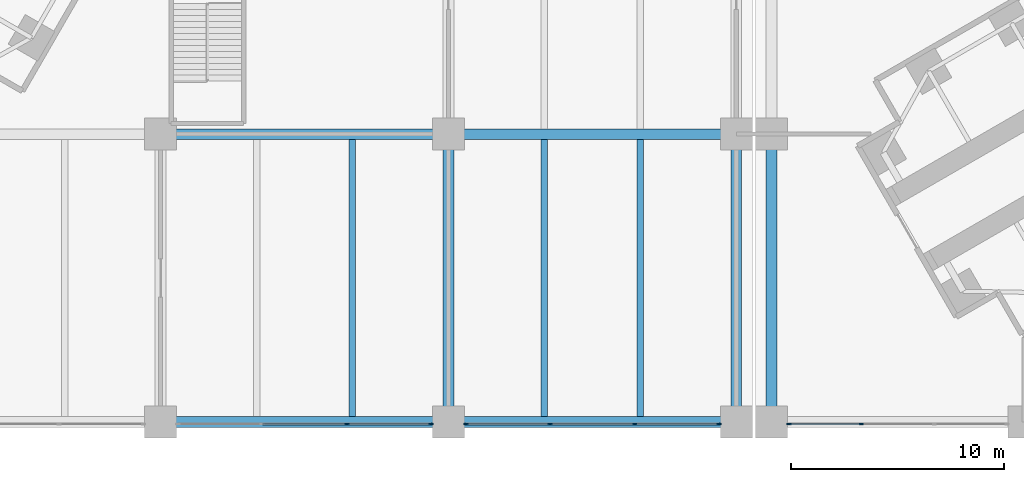
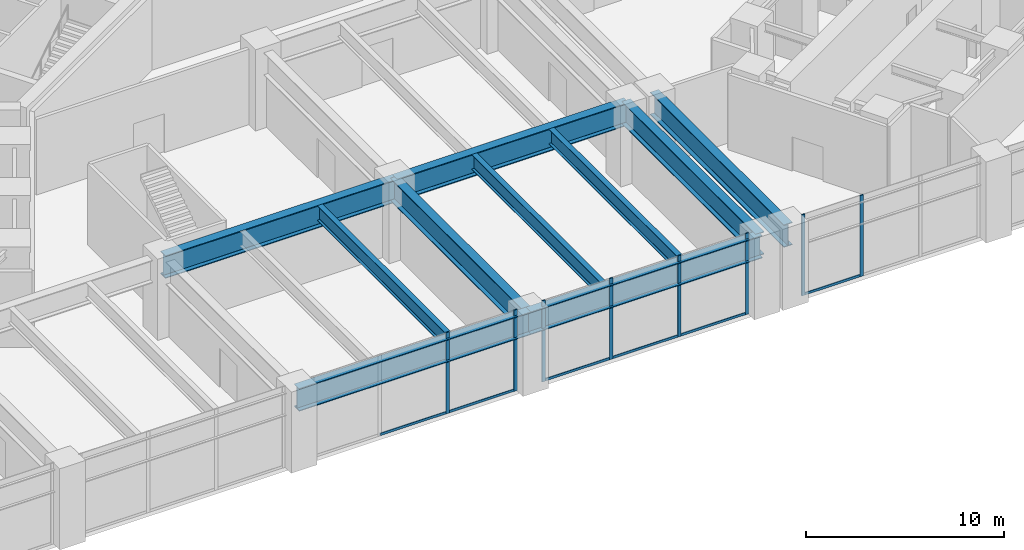
# One storey, part 4 of 31: 14 members, 10 beams, 3 elements without a shape of their own.
"""IFC4 building model written with IfcOpenShell, lengths in metres."""

from ifc_helpers import new_model, si_unit, direction, frame, origin, origin_2d, place, context, subcontext, project, spatial, rectangle, i_section, extrude, material, material_profile, profile_set, type_object, element, aggregate, save


model = new_model("IFC4")

# Units and contexts
model_context = context("Model", 3, precision=1e-05, world=origin(), true_north=direction((0.0, 1.0)))
body_context = subcontext(model_context, "Body", "Model", "MODEL_VIEW")
ifc_project = project(units=[si_unit("LENGTHUNIT", "METRE"), si_unit("AREAUNIT", "SQUARE_METRE"), si_unit("VOLUMEUNIT", "CUBIC_METRE"), si_unit("PLANEANGLEUNIT", "RADIAN"), si_unit("MASSUNIT", "GRAM", prefix="KILO")], contexts=[model_context])

# Site, building, storey
site_placement = place(None, origin())
site = spatial("IfcSite", under=ifc_project, at=site_placement, CompositionType="ELEMENT")
building_placement = place(site_placement, origin())
building = spatial("IfcBuilding", under=site, at=building_placement, Name="Upepo Twin Towers", CompositionType="ELEMENT")
storey_placement = place(building_placement, frame((0.0, 0.0, 15.5)))
storey = spatial("IfcBuildingStorey", under=building, at=storey_placement, Name="L03", CompositionType="ELEMENT", Elevation=15.5)

# Beams
ifc_material_1 = material(Name="Steel S355", Category="steel")
ifc_material_profile_1 = material_profile(ifc_material_1, i_section(OverallWidth=0.5, OverallDepth=1.39990234375, WebThickness=0.02490234375, FlangeThickness=0.050048828125, FilletRadius=0.008056640625, at=origin_2d()), Name="PG 1400x500x25x50")
ifc_profile_set_1 = profile_set([ifc_material_profile_1], Name="Steel S355")
beam_type_1 = type_object("IfcBeamType", Name="Beam PG 1400x500x25x50", PredefinedType="BEAM", material=ifc_profile_set_1)
for number, where, z_axis, x_axis, name in (
    (1, (0.0, -40.5, 3.949951171875), (1.0, 0.0, 0.0), (0.0, 1.0, 0.0), "Podium girder A/3-4"),
    (2, (13.5, -40.5, 3.949951171875), (1.0, 0.0, 0.0), (0.0, 1.0, 0.0), "Podium girder A/4-5"),
    (3, (0.0, -27.0, 3.949951171875), (1.0, 0.0, 0.0), (0.0, 1.0, 0.0), "Podium girder B/3-4"),
    (4, (13.5, -27.0, 3.949951171875), (1.0, 0.0, 0.0), (0.0, 1.0, 0.0), "Podium girder B/4-5"),
    (5, (13.5, -40.5, 3.949951171875), (0.0, 1.0, 0.0), (-1.0, 0.0, 0.0), "Podium girder 4/A-B"),
    (6, (27.0, -40.5, 3.949951171875), (0.0, 1.0, 0.0), (-1.0, 0.0, 0.0), "Podium girder 5/A-B"),
    (7, (28.64990234375, -40.5, 3.949951171875), (0.0, 1.0, 0.0), (-1.0, 0.0, 0.0), "Podium girder 5a/A-B"),
):
    element("IfcBeam", number, at=place(storey_placement, frame(where, z_axis=z_axis, x_axis=x_axis)), inside=storey, type_object=beam_type_1, Name=name, PredefinedType="BEAM", context=body_context, shape_type="SweptSolid", body=[
        extrude(i_section(OverallWidth=0.5, OverallDepth=1.39990234375, WebThickness=0.02490234375, FlangeThickness=0.050048828125, FilletRadius=0.008056640625, at=origin_2d()), origin(), (0.0, 0.0, 1.0), 13.5),
    ])

# Curtain wall, members
ifc_material_2 = material(Name="Aluminium and clear glass", Category="aluminium")
curtain_wall_type = type_object("IfcCurtainWallType", Name="Podium curtain wall PW1", PredefinedType="NOTDEFINED", material=ifc_material_2)
curtain_wall_1_placement = place(storey_placement, origin())
curtain_wall_1 = element("IfcCurtainWall", 8, at=curtain_wall_1_placement, inside=storey, type_object=curtain_wall_type, Name="Podium L03 curtain wall S3", PredefinedType="NOTDEFINED")
ifc_material_3 = material(Name="Aluminium mullion", Category="aluminium")
ifc_material_profile_2 = material_profile(ifc_material_3, rectangle(XDim=0.06494140625, YDim=0.199951171875, at=origin_2d()), Name="MULLION 65x200 PODIUM")
ifc_profile_set_2 = profile_set([ifc_material_profile_2], Name="Aluminium mullion")
member_type_1 = type_object("IfcMemberType", Name="Mullion 65x200 PW1", PredefinedType="MULLION", material=ifc_profile_set_2)
member_1_placement = place(storey_placement, frame((8.73828125, -40.60009765625, 0.0), z_axis=(0.0, 0.0, 1.0), x_axis=(0.0, 1.0, 0.0)))
member_1 = element("IfcMember", 9, at=member_1_placement, type_object=member_type_1, Name="Podium L03 curtain wall S3 mullion 3", PredefinedType="MULLION", context=body_context, shape_type="SweptSolid", body=[
    extrude(rectangle(XDim=0.06494140625, YDim=0.199951171875, at=origin_2d()), origin(), (0.0, 0.0, 1.0), 5.0),
])
member_2_placement = place(storey_placement, frame((12.6826171875, -40.60009765625, 0.0), z_axis=(0.0, 0.0, 1.0), x_axis=(0.0, 1.0, 0.0)))
member_2 = element("IfcMember", 10, at=member_2_placement, type_object=member_type_1, Name="Podium L03 curtain wall S3 mullion 4", PredefinedType="MULLION", context=body_context, shape_type="SweptSolid", body=[
    extrude(rectangle(XDim=0.06494140625, YDim=0.199951171875, at=origin_2d()), origin(), (0.0, 0.0, 1.0), 5.0),
])

curtain_wall_2_placement = place(storey_placement, origin())
curtain_wall_2 = element("IfcCurtainWall", 11, at=curtain_wall_2_placement, inside=storey, type_object=curtain_wall_type, Name="Podium L03 curtain wall S4", PredefinedType="NOTDEFINED")
member_3_placement = place(storey_placement, frame((14.3173828125, -40.60009765625, 0.0), z_axis=(0.0, 0.0, 1.0), x_axis=(0.0, 1.0, 0.0)))
member_3 = element("IfcMember", 12, at=member_3_placement, type_object=member_type_1, Name="Podium L03 curtain wall S4 mullion 1", PredefinedType="MULLION", context=body_context, shape_type="SweptSolid", body=[
    extrude(rectangle(XDim=0.06494140625, YDim=0.199951171875, at=origin_2d()), origin(), (0.0, 0.0, 1.0), 5.0),
])
member_4_placement = place(storey_placement, frame((18.26171875, -40.60009765625, 0.0), z_axis=(0.0, 0.0, 1.0), x_axis=(0.0, 1.0, 0.0)))
member_4 = element("IfcMember", 13, at=member_4_placement, type_object=member_type_1, Name="Podium L03 curtain wall S4 mullion 2", PredefinedType="MULLION", context=body_context, shape_type="SweptSolid", body=[
    extrude(rectangle(XDim=0.06494140625, YDim=0.199951171875, at=origin_2d()), origin(), (0.0, 0.0, 1.0), 5.0),
])
member_5_placement = place(storey_placement, frame((22.23828125, -40.60009765625, 0.0), z_axis=(0.0, 0.0, 1.0), x_axis=(0.0, 1.0, 0.0)))
member_5 = element("IfcMember", 14, at=member_5_placement, type_object=member_type_1, Name="Podium L03 curtain wall S4 mullion 3", PredefinedType="MULLION", context=body_context, shape_type="SweptSolid", body=[
    extrude(rectangle(XDim=0.06494140625, YDim=0.199951171875, at=origin_2d()), origin(), (0.0, 0.0, 1.0), 5.0),
])
member_6_placement = place(storey_placement, frame((26.1826171875, -40.60009765625, 0.0), z_axis=(0.0, 0.0, 1.0), x_axis=(0.0, 1.0, 0.0)))
member_6 = element("IfcMember", 15, at=member_6_placement, type_object=member_type_1, Name="Podium L03 curtain wall S4 mullion 4", PredefinedType="MULLION", context=body_context, shape_type="SweptSolid", body=[
    extrude(rectangle(XDim=0.06494140625, YDim=0.199951171875, at=origin_2d()), origin(), (0.0, 0.0, 1.0), 5.0),
])

curtain_wall_3_placement = place(storey_placement, origin())
curtain_wall_3 = element("IfcCurtainWall", 16, at=curtain_wall_3_placement, inside=storey, type_object=curtain_wall_type, Name="Podium L03 curtain wall S5", PredefinedType="NOTDEFINED")
member_7_placement = place(storey_placement, frame((29.467529296875, -40.60009765625, 0.0), z_axis=(0.0, 0.0, 1.0), x_axis=(0.0, 1.0, 0.0)))
member_7 = element("IfcMember", 17, at=member_7_placement, type_object=member_type_1, Name="Podium L03 curtain wall S5 mullion 1", PredefinedType="MULLION", context=body_context, shape_type="SweptSolid", body=[
    extrude(rectangle(XDim=0.06494140625, YDim=0.199951171875, at=origin_2d()), origin(), (0.0, 0.0, 1.0), 5.0),
])
member_8_placement = place(storey_placement, frame((32.861572265625, -40.60009765625, 0.0), z_axis=(0.0, 0.0, 1.0), x_axis=(0.0, 1.0, 0.0)))
member_8 = element("IfcMember", 18, at=member_8_placement, type_object=member_type_1, Name="Podium L03 curtain wall S5 mullion 2", PredefinedType="MULLION", context=body_context, shape_type="SweptSolid", body=[
    extrude(rectangle(XDim=0.06494140625, YDim=0.199951171875, at=origin_2d()), origin(), (0.0, 0.0, 1.0), 5.0),
])

# Beams
ifc_material_4 = material(Name="Steel S355", Category="steel")
ifc_material_profile_3 = material_profile(ifc_material_4, i_section(OverallWidth=0.305419921875, OverallDepth=0.91845703125, WebThickness=0.017333984375, FlangeThickness=0.02783203125, FilletRadius=0.01904296875, at=origin_2d()), Name="UB 914x305x253")
ifc_profile_set_3 = profile_set([ifc_material_profile_3], Name="Steel S355")
beam_type_2 = type_object("IfcBeamType", Name="Secondary beam UB 914x305x253", PredefinedType="JOIST", material=ifc_profile_set_3)
for number, where, z_axis, x_axis, name in (
    (19, (9.0, -40.25, 4.19091796875), (0.0, 1.0, 0.0), (-1.0, 0.0, 0.0), "Podium secondary beam A3.2"),
    (20, (18.0, -40.25, 4.19091796875), (0.0, 1.0, 0.0), (-1.0, 0.0, 0.0), "Podium secondary beam A4.1"),
    (21, (22.5, -40.25, 4.19091796875), (0.0, 1.0, 0.0), (-1.0, 0.0, 0.0), "Podium secondary beam A4.2"),
):
    element("IfcBeam", number, at=place(storey_placement, frame(where, z_axis=z_axis, x_axis=x_axis)), inside=storey, type_object=beam_type_2, Name=name, PredefinedType="JOIST", context=body_context, shape_type="SweptSolid", body=[
        extrude(i_section(OverallWidth=0.305419921875, OverallDepth=0.91845703125, WebThickness=0.017333984375, FlangeThickness=0.02783203125, FilletRadius=0.01904296875, at=origin_2d()), origin(), (0.0, 0.0, 1.0), 13.0),
    ])

# Member
ifc_material_5 = material(Name="Aluminium transom", Category="aluminium")
ifc_material_profile_4 = material_profile(ifc_material_5, rectangle(XDim=0.06494140625, YDim=0.14990234375, at=origin_2d()), Name="TRANSOM 65x150 PODIUM")
ifc_profile_set_4 = profile_set([ifc_material_profile_4], Name="Aluminium transom")
member_type_2 = type_object("IfcMemberType", Name="Transom 65x150 PW1", PredefinedType="USERDEFINED", material=ifc_profile_set_4)
member_9_placement = place(storey_placement, frame((4.794189453125, -40.60009765625, 0.074951171875), z_axis=(1.0, 0.0, 0.0), x_axis=(0.0, 1.0, 0.0)))
member_9 = element("IfcMember", 22, at=member_9_placement, type_object=member_type_2, Name="Podium L03 curtain wall S3 transom 2", ObjectType="TRANSOM", PredefinedType="USERDEFINED", context=body_context, shape_type="SweptSolid", body=[
    extrude(rectangle(XDim=0.06494140625, YDim=0.14990234375, at=origin_2d()), origin(), (0.0, 0.0, 1.0), 3.91162109375),
])

member_10_placement = place(storey_placement, frame((8.770751953125, -40.60009765625, 0.074951171875), z_axis=(1.0, 0.0, 0.0), x_axis=(0.0, 1.0, 0.0)))
member_10 = element("IfcMember", 23, at=member_10_placement, type_object=member_type_2, Name="Podium L03 curtain wall S3 transom 3", ObjectType="TRANSOM", PredefinedType="USERDEFINED", context=body_context, shape_type="SweptSolid", body=[
    extrude(rectangle(XDim=0.06494140625, YDim=0.14990234375, at=origin_2d()), origin(), (0.0, 0.0, 1.0), 3.879150390625),
])

aggregate(curtain_wall_1, [member_1, member_2, member_9, member_10])

member_11_placement = place(storey_placement, frame((14.35009765625, -40.60009765625, 0.074951171875), z_axis=(1.0, 0.0, 0.0), x_axis=(0.0, 1.0, 0.0)))
member_11 = element("IfcMember", 24, at=member_11_placement, type_object=member_type_2, Name="Podium L03 curtain wall S4 transom 1", ObjectType="TRANSOM", PredefinedType="USERDEFINED", context=body_context, shape_type="SweptSolid", body=[
    extrude(rectangle(XDim=0.06494140625, YDim=0.14990234375, at=origin_2d()), origin(), (0.0, 0.0, 1.0), 3.879150390625),
])

member_12_placement = place(storey_placement, frame((18.294189453125, -40.60009765625, 0.074951171875), z_axis=(1.0, 0.0, 0.0), x_axis=(0.0, 1.0, 0.0)))
member_12 = element("IfcMember", 25, at=member_12_placement, type_object=member_type_2, Name="Podium L03 curtain wall S4 transom 2", ObjectType="TRANSOM", PredefinedType="USERDEFINED", context=body_context, shape_type="SweptSolid", body=[
    extrude(rectangle(XDim=0.06494140625, YDim=0.14990234375, at=origin_2d()), origin(), (0.0, 0.0, 1.0), 3.91162109375),
])

member_13_placement = place(storey_placement, frame((22.270751953125, -40.60009765625, 0.074951171875), z_axis=(1.0, 0.0, 0.0), x_axis=(0.0, 1.0, 0.0)))
member_13 = element("IfcMember", 26, at=member_13_placement, type_object=member_type_2, Name="Podium L03 curtain wall S4 transom 3", ObjectType="TRANSOM", PredefinedType="USERDEFINED", context=body_context, shape_type="SweptSolid", body=[
    extrude(rectangle(XDim=0.06494140625, YDim=0.14990234375, at=origin_2d()), origin(), (0.0, 0.0, 1.0), 3.879150390625),
])

aggregate(curtain_wall_2, [member_3, member_4, member_5, member_6, member_11, member_12, member_13])

member_14_placement = place(storey_placement, frame((29.5, -40.60009765625, 0.074951171875), z_axis=(1.0, 0.0, 0.0), x_axis=(0.0, 1.0, 0.0)))
member_14 = element("IfcMember", 27, at=member_14_placement, type_object=member_type_2, Name="Podium L03 curtain wall S5 transom 1", ObjectType="TRANSOM", PredefinedType="USERDEFINED", context=body_context, shape_type="SweptSolid", body=[
    extrude(rectangle(XDim=0.06494140625, YDim=0.14990234375, at=origin_2d()), origin(), (0.0, 0.0, 1.0), 3.3291015625),
])

aggregate(curtain_wall_3, [member_7, member_8, member_14])

save(model, "model.ifc")
